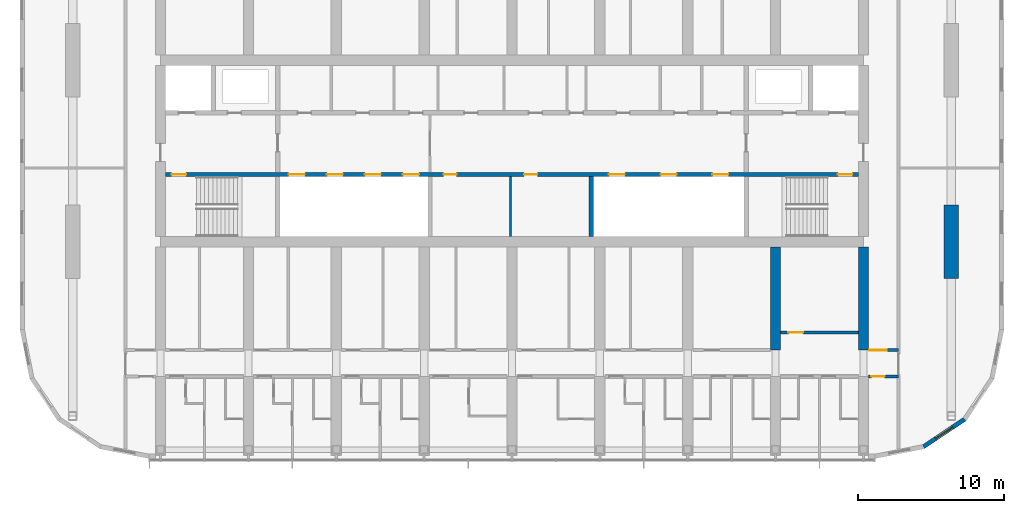
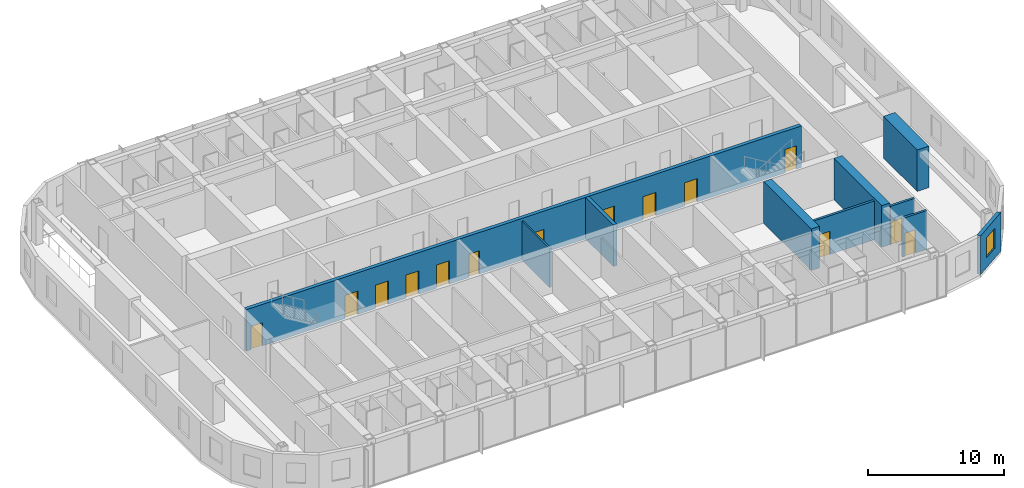
# One storey, part 14 of 24: 14 doors, 10 walls, 1 window, 15 openings.
"""IFC4 building model written with IfcOpenShell, lengths in metres."""

from ifc_helpers import new_model, si_unit, direction, frame, frame_2d, origin, place, context, subcontext, project, spatial, polyline, rectangle, outline, extrude, material, layer, layer_set, type_object, element, fill, save


model = new_model("IFC4")

# Units and contexts
model_context = context("Model", 3, precision=1e-05, world=origin(), true_north=direction((0.0, 1.0)))
body_context = subcontext(model_context, "Body", "Model", "MODEL_VIEW")
ifc_project = project(units=[si_unit("LENGTHUNIT", "METRE"), si_unit("AREAUNIT", "SQUARE_METRE"), si_unit("VOLUMEUNIT", "CUBIC_METRE"), si_unit("PLANEANGLEUNIT", "RADIAN"), si_unit("MASSUNIT", "GRAM", prefix="KILO")], contexts=[model_context])

# Site, building, storey
site_placement = place(None, origin())
site = spatial("IfcSite", under=ifc_project, at=site_placement, CompositionType="ELEMENT")
building_placement = place(site_placement, origin())
building = spatial("IfcBuilding", under=site, at=building_placement, Name="Orbita Commons", CompositionType="ELEMENT")
storey_placement = place(building_placement, frame((0.0, 0.0, 235.300048828125)))
storey = spatial("IfcBuildingStorey", under=building, at=storey_placement, Name="L58", CompositionType="ELEMENT", Elevation=235.300048828125)

# Wall, openings, doors
ifc_material_1 = material(Name="Concrete C50/60", Category="concrete")
ifc_layer_1 = layer(ifc_material_1, 0.300048828125)
ifc_layer_set_1 = layer_set([ifc_layer_1], Name="Concrete C50/60")
wall_type_1 = type_object("IfcWallType", Name="Core inner wall 300 C50/60", PredefinedType="SHEAR", material=ifc_layer_set_1)
wall_1_placement = place(storey_placement, frame((18.35009765625, 30.39990234375, 0.0), z_axis=(0.0, 0.0, 1.0), x_axis=(1.0, 0.0, 0.0)))
wall_1 = element("IfcWall", 1, at=wall_1_placement, inside=storey, type_object=wall_type_1, Name="Lobby wall south L58", PredefinedType="SHEAR", context=body_context, shape_type="SweptSolid", body=[
    extrude(rectangle(XDim=47.2998046875, YDim=0.300048828125, at=frame_2d((23.64990234375, 0.0))), origin(), (0.0, 0.0, 1.0), 3.75),
])
opening_1_placement = place(wall_1_placement, frame((0.39990234375, 0.0, 0.0)))
opening_1 = element("IfcOpeningElement", 2, at=opening_1_placement, cuts=wall_1, Name="Opening D02", PredefinedType="OPENING", context=body_context, shape_type="SweptSolid", body=[
    extrude(rectangle(XDim=1.0, YDim=2.10009765625, at=frame_2d((0.5, 1.050048828125))), frame((0.0, 0.159912109375, 0.0), z_axis=(0.0, -1.0, 0.0), x_axis=(1.0, 0.0, 0.0)), (0.0, 0.0, 1.0), 0.320068359375),
])
opening_2_placement = place(wall_1_placement, frame((45.89990234375, 0.0, 0.0)))
opening_2 = element("IfcOpeningElement", 3, at=opening_2_placement, cuts=wall_1, Name="Opening D02", PredefinedType="OPENING", context=body_context, shape_type="SweptSolid", body=[
    extrude(rectangle(XDim=1.0, YDim=2.10009765625, at=frame_2d((0.5, 1.050048828125))), frame((0.0, 0.159912109375, 0.0), z_axis=(0.0, -1.0, 0.0), x_axis=(1.0, 0.0, 0.0)), (0.0, 0.0, 1.0), 0.320068359375),
])
opening_3_placement = place(wall_1_placement, frame((8.39990234375, 0.0, 0.0)))
opening_3 = element("IfcOpeningElement", 4, at=opening_3_placement, cuts=wall_1, Name="Opening LD02", PredefinedType="OPENING", context=body_context, shape_type="SweptSolid", body=[
    extrude(rectangle(XDim=1.10009765625, YDim=2.10009765625, at=frame_2d((0.550048828125, 1.050048828125))), frame((0.0, 0.159912109375, 0.0), z_axis=(0.0, -1.0, 0.0), x_axis=(1.0, 0.0, 0.0)), (0.0, 0.0, 1.0), 0.320068359375),
])
opening_4_placement = place(wall_1_placement, frame((11.0, 0.0, 0.0)))
opening_4 = element("IfcOpeningElement", 5, at=opening_4_placement, cuts=wall_1, Name="Opening LD02", PredefinedType="OPENING", context=body_context, shape_type="SweptSolid", body=[
    extrude(rectangle(XDim=1.10009765625, YDim=2.10009765625, at=frame_2d((0.550048828125, 1.050048828125))), frame((0.0, 0.159912109375, 0.0), z_axis=(0.0, -1.0, 0.0), x_axis=(1.0, 0.0, 0.0)), (0.0, 0.0, 1.0), 0.320068359375),
])
opening_5_placement = place(wall_1_placement, frame((13.60009765625, 0.0, 0.0)))
opening_5 = element("IfcOpeningElement", 6, at=opening_5_placement, cuts=wall_1, Name="Opening LD02", PredefinedType="OPENING", context=body_context, shape_type="SweptSolid", body=[
    extrude(rectangle(XDim=1.10009765625, YDim=2.10009765625, at=frame_2d((0.550048828125, 1.050048828125))), frame((0.0, 0.159912109375, 0.0), z_axis=(0.0, -1.0, 0.0), x_axis=(1.0, 0.0, 0.0)), (0.0, 0.0, 1.0), 0.320068359375),
])
opening_6_placement = place(wall_1_placement, frame((16.199951171875, 0.0, 0.0)))
opening_6 = element("IfcOpeningElement", 7, at=opening_6_placement, cuts=wall_1, Name="Opening LD02", PredefinedType="OPENING", context=body_context, shape_type="SweptSolid", body=[
    extrude(rectangle(XDim=1.10009765625, YDim=2.10009765625, at=frame_2d((0.550048828125, 1.050048828125))), frame((0.0, 0.159912109375, 0.0), z_axis=(0.0, -1.0, 0.0), x_axis=(1.0, 0.0, 0.0)), (0.0, 0.0, 1.0), 0.320068359375),
])
opening_7_placement = place(wall_1_placement, frame((18.97509765625, 0.0, 0.0)))
opening_7 = element("IfcOpeningElement", 8, at=opening_7_placement, cuts=wall_1, Name="Opening D05", PredefinedType="OPENING", context=body_context, shape_type="SweptSolid", body=[
    extrude(rectangle(XDim=0.89990234375, YDim=2.10009765625, at=frame_2d((0.449951171875, 1.050048828125))), frame((0.0, 0.159912109375, 0.0), z_axis=(0.0, -1.0, 0.0), x_axis=(1.0, 0.0, 0.0)), (0.0, 0.0, 1.0), 0.320068359375),
])
opening_8_placement = place(wall_1_placement, frame((24.47509765625, 0.0, 0.0)))
opening_8 = element("IfcOpeningElement", 9, at=opening_8_placement, cuts=wall_1, Name="Opening D05", PredefinedType="OPENING", context=body_context, shape_type="SweptSolid", body=[
    extrude(rectangle(XDim=0.89990234375, YDim=2.10009765625, at=frame_2d((0.449951171875, 1.050048828125))), frame((0.0, 0.159912109375, 0.0), z_axis=(0.0, -1.0, 0.0), x_axis=(1.0, 0.0, 0.0)), (0.0, 0.0, 1.0), 0.320068359375),
])
opening_9_placement = place(wall_1_placement, frame((30.2666015625, 0.0, 0.0)))
opening_9 = element("IfcOpeningElement", 10, at=opening_9_placement, cuts=wall_1, Name="Opening LD02", PredefinedType="OPENING", context=body_context, shape_type="SweptSolid", body=[
    extrude(rectangle(XDim=1.10009765625, YDim=2.10009765625, at=frame_2d((0.550048828125, 1.050048828125))), frame((0.0, 0.159912109375, 0.0), z_axis=(0.0, -1.0, 0.0), x_axis=(1.0, 0.0, 0.0)), (0.0, 0.0, 1.0), 0.320068359375),
])
opening_10_placement = place(wall_1_placement, frame((33.800048828125, 0.0, 0.0)))
opening_10 = element("IfcOpeningElement", 11, at=opening_10_placement, cuts=wall_1, Name="Opening LD02", PredefinedType="OPENING", context=body_context, shape_type="SweptSolid", body=[
    extrude(rectangle(XDim=1.10009765625, YDim=2.10009765625, at=frame_2d((0.550048828125, 1.050048828125))), frame((0.0, 0.159912109375, 0.0), z_axis=(0.0, -1.0, 0.0), x_axis=(1.0, 0.0, 0.0)), (0.0, 0.0, 1.0), 0.320068359375),
])
opening_11_placement = place(wall_1_placement, frame((37.333251953125, 0.0, 0.0)))
opening_11 = element("IfcOpeningElement", 12, at=opening_11_placement, cuts=wall_1, Name="Opening LD02", PredefinedType="OPENING", context=body_context, shape_type="SweptSolid", body=[
    extrude(rectangle(XDim=1.10009765625, YDim=2.10009765625, at=frame_2d((0.550048828125, 1.050048828125))), frame((0.0, 0.159912109375, 0.0), z_axis=(0.0, -1.0, 0.0), x_axis=(1.0, 0.0, 0.0)), (0.0, 0.0, 1.0), 0.320068359375),
])
ifc_material_2 = material(Name="Steel-faced fire door leaf", Category="steel")
door_type_1 = type_object("IfcDoorType", Name="Fire door 90 min 1000x2100", OperationType="SINGLE_SWING_LEFT", PredefinedType="DOOR", material=ifc_material_2)
door_1_placement = place(opening_1_placement, origin())
door_1 = element("IfcDoor", 13, at=door_1_placement, inside=storey, type_object=door_type_1, Name="Stair S1 door", OperationType="SINGLE_SWING_LEFT", OverallHeight=2.10009765625, OverallWidth=1.0, PredefinedType="DOOR", context=body_context, shape_type="SweptSolid", body=[
    extrude(rectangle(XDim=1.0, YDim=2.10009765625, at=frame_2d((0.5, 1.050048828125))), frame((0.0, 0.02490234375, 0.0), z_axis=(0.0, -1.0, 0.0), x_axis=(1.0, 0.0, 0.0)), (0.0, 0.0, 1.0), 0.050048828125),
])
fill(opening_1, door_1)
door_2_placement = place(opening_2_placement, origin())
door_2 = element("IfcDoor", 14, at=door_2_placement, inside=storey, type_object=door_type_1, Name="Stair S2 door", OperationType="SINGLE_SWING_LEFT", OverallHeight=2.10009765625, OverallWidth=1.0, PredefinedType="DOOR", context=body_context, shape_type="SweptSolid", body=[
    extrude(rectangle(XDim=1.0, YDim=2.10009765625, at=frame_2d((0.5, 1.050048828125))), frame((0.0, 0.02490234375, 0.0), z_axis=(0.0, -1.0, 0.0), x_axis=(1.0, 0.0, 0.0)), (0.0, 0.0, 1.0), 0.050048828125),
])
fill(opening_2, door_2)
ifc_material_3 = material(Name="Steel-faced fire door leaf", Category="steel")
door_type_2 = type_object("IfcDoorType", Name="Lift landing door 1100x2100", OperationType="DOUBLE_DOOR_SLIDING", PredefinedType="DOOR", material=ifc_material_3)
door_3_placement = place(opening_3_placement, origin())
door_3 = element("IfcDoor", 15, at=door_3_placement, inside=storey, type_object=door_type_2, Name="Lift P41 landing door", OperationType="DOUBLE_DOOR_SLIDING", OverallHeight=2.10009765625, OverallWidth=1.10009765625, PredefinedType="DOOR", context=body_context, shape_type="SweptSolid", body=[
    extrude(rectangle(XDim=1.10009765625, YDim=2.10009765625, at=frame_2d((0.550048828125, 1.050048828125))), frame((0.0, 0.02490234375, 0.0), z_axis=(0.0, -1.0, 0.0), x_axis=(1.0, 0.0, 0.0)), (0.0, 0.0, 1.0), 0.050048828125),
])
fill(opening_3, door_3)
door_4_placement = place(opening_4_placement, origin())
door_4 = element("IfcDoor", 16, at=door_4_placement, inside=storey, type_object=door_type_2, Name="Lift P42 landing door", OperationType="DOUBLE_DOOR_SLIDING", OverallHeight=2.10009765625, OverallWidth=1.10009765625, PredefinedType="DOOR", context=body_context, shape_type="SweptSolid", body=[
    extrude(rectangle(XDim=1.10009765625, YDim=2.10009765625, at=frame_2d((0.550048828125, 1.050048828125))), frame((0.0, 0.02490234375, 0.0), z_axis=(0.0, -1.0, 0.0), x_axis=(1.0, 0.0, 0.0)), (0.0, 0.0, 1.0), 0.050048828125),
])
fill(opening_4, door_4)
door_5_placement = place(opening_5_placement, origin())
door_5 = element("IfcDoor", 17, at=door_5_placement, inside=storey, type_object=door_type_2, Name="Lift P43 landing door", OperationType="DOUBLE_DOOR_SLIDING", OverallHeight=2.10009765625, OverallWidth=1.10009765625, PredefinedType="DOOR", context=body_context, shape_type="SweptSolid", body=[
    extrude(rectangle(XDim=1.10009765625, YDim=2.10009765625, at=frame_2d((0.550048828125, 1.050048828125))), frame((0.0, 0.02490234375, 0.0), z_axis=(0.0, -1.0, 0.0), x_axis=(1.0, 0.0, 0.0)), (0.0, 0.0, 1.0), 0.050048828125),
])
fill(opening_5, door_5)
door_6_placement = place(opening_6_placement, origin())
door_6 = element("IfcDoor", 18, at=door_6_placement, inside=storey, type_object=door_type_2, Name="Lift P44 landing door", OperationType="DOUBLE_DOOR_SLIDING", OverallHeight=2.10009765625, OverallWidth=1.10009765625, PredefinedType="DOOR", context=body_context, shape_type="SweptSolid", body=[
    extrude(rectangle(XDim=1.10009765625, YDim=2.10009765625, at=frame_2d((0.550048828125, 1.050048828125))), frame((0.0, 0.02490234375, 0.0), z_axis=(0.0, -1.0, 0.0), x_axis=(1.0, 0.0, 0.0)), (0.0, 0.0, 1.0), 0.050048828125),
])
fill(opening_6, door_6)
door_7_placement = place(opening_9_placement, origin())
door_7 = element("IfcDoor", 19, at=door_7_placement, inside=storey, type_object=door_type_2, Name="Lift SV1 landing door", OperationType="DOUBLE_DOOR_SLIDING", OverallHeight=2.10009765625, OverallWidth=1.10009765625, PredefinedType="DOOR", context=body_context, shape_type="SweptSolid", body=[
    extrude(rectangle(XDim=1.10009765625, YDim=2.10009765625, at=frame_2d((0.550048828125, 1.050048828125))), frame((0.0, 0.02490234375, 0.0), z_axis=(0.0, -1.0, 0.0), x_axis=(1.0, 0.0, 0.0)), (0.0, 0.0, 1.0), 0.050048828125),
])
fill(opening_9, door_7)
door_8_placement = place(opening_10_placement, origin())
door_8 = element("IfcDoor", 20, at=door_8_placement, inside=storey, type_object=door_type_2, Name="Lift SV2 landing door", OperationType="DOUBLE_DOOR_SLIDING", OverallHeight=2.10009765625, OverallWidth=1.10009765625, PredefinedType="DOOR", context=body_context, shape_type="SweptSolid", body=[
    extrude(rectangle(XDim=1.10009765625, YDim=2.10009765625, at=frame_2d((0.550048828125, 1.050048828125))), frame((0.0, 0.02490234375, 0.0), z_axis=(0.0, -1.0, 0.0), x_axis=(1.0, 0.0, 0.0)), (0.0, 0.0, 1.0), 0.050048828125),
])
fill(opening_10, door_8)
door_9_placement = place(opening_11_placement, origin())
door_9 = element("IfcDoor", 21, at=door_9_placement, inside=storey, type_object=door_type_2, Name="Lift SV3 landing door", OperationType="DOUBLE_DOOR_SLIDING", OverallHeight=2.10009765625, OverallWidth=1.10009765625, PredefinedType="DOOR", context=body_context, shape_type="SweptSolid", body=[
    extrude(rectangle(XDim=1.10009765625, YDim=2.10009765625, at=frame_2d((0.550048828125, 1.050048828125))), frame((0.0, 0.02490234375, 0.0), z_axis=(0.0, -1.0, 0.0), x_axis=(1.0, 0.0, 0.0)), (0.0, 0.0, 1.0), 0.050048828125),
])
fill(opening_11, door_9)
ifc_material_4 = material(Name="Steel-faced fire door leaf", Category="steel")
door_type_3 = type_object("IfcDoorType", Name="Service door 20 min 900x2100", OperationType="SINGLE_SWING_LEFT", PredefinedType="DOOR", material=ifc_material_4)
door_10_placement = place(opening_7_placement, origin())
door_10 = element("IfcDoor", 22, at=door_10_placement, inside=storey, type_object=door_type_3, Name="Mail room door", OperationType="SINGLE_SWING_LEFT", OverallHeight=2.10009765625, OverallWidth=0.89990234375, PredefinedType="DOOR", context=body_context, shape_type="SweptSolid", body=[
    extrude(rectangle(XDim=0.89990234375, YDim=2.10009765625, at=frame_2d((0.449951171875, 1.050048828125))), frame((0.0, 0.02490234375, 0.0), z_axis=(0.0, -1.0, 0.0), x_axis=(1.0, 0.0, 0.0)), (0.0, 0.0, 1.0), 0.050048828125),
])
fill(opening_7, door_10)
door_11_placement = place(opening_8_placement, origin())
door_11 = element("IfcDoor", 23, at=door_11_placement, inside=storey, type_object=door_type_3, Name="Residents' store door", OperationType="SINGLE_SWING_LEFT", OverallHeight=2.10009765625, OverallWidth=0.89990234375, PredefinedType="DOOR", context=body_context, shape_type="SweptSolid", body=[
    extrude(rectangle(XDim=0.89990234375, YDim=2.10009765625, at=frame_2d((0.449951171875, 1.050048828125))), frame((0.0, 0.02490234375, 0.0), z_axis=(0.0, -1.0, 0.0), x_axis=(1.0, 0.0, 0.0)), (0.0, 0.0, 1.0), 0.050048828125),
])
fill(opening_8, door_11)

# Walls
wall_2_placement = place(storey_placement, frame((47.39990234375, 26.14990234375, 0.0), z_axis=(0.0, 0.0, 1.0), x_axis=(0.0, 1.0, 0.0)))
element("IfcWall", 24, at=wall_2_placement, inside=storey, type_object=wall_type_1, Name="Hoistway division wall L58", PredefinedType="SHEAR", context=body_context, shape_type="SweptSolid", body=[
    extrude(rectangle(XDim=4.10009765625, YDim=0.300048828125, at=frame_2d((2.050048828125, 0.0))), origin(), (0.0, 0.0, 1.0), 3.75),
])
ifc_material_5 = material(Name="Concrete blockwork", Category="masonry")
ifc_layer_2 = layer(ifc_material_5, 0.14990234375)
ifc_layer_set_2 = layer_set([ifc_layer_2], Name="Concrete blockwork")
wall_type_2 = type_object("IfcWallType", Name="Core partition 150 blockwork", PredefinedType="SOLIDWALL", material=ifc_layer_set_2)
wall_3_placement = place(storey_placement, frame((41.89990234375, 26.14990234375, 0.0), z_axis=(0.0, 0.0, 1.0), x_axis=(0.0, 1.0, 0.0)))
element("IfcWall", 25, at=wall_3_placement, inside=storey, type_object=wall_type_2, Name="Core partition 150 blockwork L58", PredefinedType="SOLIDWALL", context=body_context, shape_type="SweptSolid", body=[
    extrude(rectangle(XDim=4.10009765625, YDim=0.14990234375, at=frame_2d((2.050048828125, 0.0))), origin(), (0.0, 0.0, 1.0), 3.5),
])

# Wall, opening, door
ifc_material_6 = material(Name="Concrete blockwork", Category="masonry")
ifc_layer_3 = layer(ifc_material_6, 0.199951171875)
ifc_layer_set_3 = layer_set([ifc_layer_3], Name="Concrete blockwork")
wall_type_3 = type_object("IfcWallType", Name="Corridor wall 200 blockwork", PredefinedType="SOLIDWALL", material=ifc_layer_set_3)
wall_4_placement = place(storey_placement, frame((66.35009765625, 16.60009765625, 0.0), z_axis=(0.0, 0.0, 1.0), x_axis=(1.0, 0.0, 0.0)))
wall_4 = element("IfcWall", 26, at=wall_4_placement, inside=storey, type_object=wall_type_3, Name="Corridor wall 200 blockwork L58", PredefinedType="SOLIDWALL", context=body_context, shape_type="SweptSolid", body=[
    extrude(rectangle(XDim=2.0498046875, YDim=0.199951171875, at=frame_2d((1.02490234375, 0.0))), origin(), (0.0, 0.0, 1.0), 3.5),
])
opening_12_placement = place(wall_4_placement, frame((0.199951171875, 0.0, 0.0)))
opening_12 = element("IfcOpeningElement", 27, at=opening_12_placement, cuts=wall_4, Name="Opening D05", PredefinedType="OPENING", context=body_context, shape_type="SweptSolid", body=[
    extrude(rectangle(XDim=0.89990234375, YDim=2.10009765625, at=frame_2d((0.449951171875, 1.050048828125))), frame((0.0, 0.10986328125, 0.0), z_axis=(0.0, -1.0, 0.0), x_axis=(1.0, 0.0, 0.0)), (0.0, 0.0, 1.0), 0.219970703125),
])
door_12_placement = place(opening_12_placement, origin())
door_12 = element("IfcDoor", 28, at=door_12_placement, inside=storey, type_object=door_type_3, Name="Linen store L58-KES door", OperationType="SINGLE_SWING_LEFT", OverallHeight=2.10009765625, OverallWidth=0.89990234375, PredefinedType="DOOR", context=body_context, shape_type="SweptSolid", body=[
    extrude(rectangle(XDim=0.89990234375, YDim=2.10009765625, at=frame_2d((0.449951171875, 1.050048828125))), frame((0.0, 0.02490234375, 0.0), z_axis=(0.0, -1.0, 0.0), x_axis=(1.0, 0.0, 0.0)), (0.0, 0.0, 1.0), 0.050048828125),
])
fill(opening_12, door_12)

ifc_material_7 = material(Name="Hollow concrete block 200", Category="concrete")
ifc_layer_4 = layer(ifc_material_7, 0.199951171875)
ifc_layer_set_4 = layer_set([ifc_layer_4], Name="Hollow concrete block 200")
wall_type_4 = type_object("IfcWallType", Name="Corridor wall 200 hollow concrete block", PredefinedType="SOLIDWALL", material=ifc_layer_set_4)
wall_5_placement = place(storey_placement, frame((66.35009765625, 18.39990234375, 0.0), z_axis=(0.0, 0.0, 1.0), x_axis=(1.0, 0.0, 0.0)))
wall_5 = element("IfcWall", 29, at=wall_5_placement, inside=storey, type_object=wall_type_4, Name="Corridor wall 200 hollow concrete block L58", PredefinedType="SOLIDWALL", context=body_context, shape_type="SweptSolid", body=[
    extrude(rectangle(XDim=2.0498046875, YDim=0.199951171875, at=frame_2d((1.02490234375, 0.0))), origin(), (0.0, 0.0, 1.0), 3.5),
])
opening_13_placement = place(wall_5_placement, frame((0.050048828125, 0.0, 0.0)))
opening_13 = element("IfcOpeningElement", 30, at=opening_13_placement, cuts=wall_5, Name="Opening D12", PredefinedType="OPENING", context=body_context, shape_type="SweptSolid", body=[
    extrude(rectangle(XDim=1.199951171875, YDim=2.10009765625, at=frame_2d((0.60009765625, 1.050048828125))), frame((0.0, 0.10986328125, 0.0), z_axis=(0.0, -1.0, 0.0), x_axis=(1.0, 0.0, 0.0)), (0.0, 0.0, 1.0), 0.219970703125),
])
ifc_material_8 = material(Name="Steel-faced fire door leaf", Category="steel")
door_type_4 = type_object("IfcDoorType", Name="Double corridor door 20 min 1200x2100", OperationType="DOUBLE_DOOR_SINGLE_SWING", PredefinedType="DOOR", material=ifc_material_8)
door_13_placement = place(opening_13_placement, origin())
door_13 = element("IfcDoor", 31, at=door_13_placement, inside=storey, type_object=door_type_4, Name="Cross corridor doors", OperationType="DOUBLE_DOOR_SINGLE_SWING", OverallHeight=2.10009765625, OverallWidth=1.199951171875, PredefinedType="DOOR", context=body_context, shape_type="SweptSolid", body=[
    extrude(rectangle(XDim=1.199951171875, YDim=2.10009765625, at=frame_2d((0.60009765625, 1.050048828125))), frame((0.0, 0.02490234375, 0.0), z_axis=(0.0, -1.0, 0.0), x_axis=(1.0, 0.0, 0.0)), (0.0, 0.0, 1.0), 0.050048828125),
])
fill(opening_13, door_13)

wall_6_placement = place(storey_placement, frame((60.35009765625, 19.60009765625, 0.0), z_axis=(0.0, 0.0, 1.0), x_axis=(1.0, 0.0, 0.0)))
wall_6 = element("IfcWall", 32, at=wall_6_placement, inside=storey, type_object=wall_type_4, Name="Corridor wall 200 hollow concrete block L58", PredefinedType="SOLIDWALL", context=body_context, shape_type="SweptSolid", body=[
    extrude(rectangle(XDim=5.2998046875, YDim=0.199951171875, at=frame_2d((2.64990234375, 0.0))), origin(), (0.0, 0.0, 1.0), 3.5),
])
opening_14_placement = place(wall_6_placement, frame((0.52490234375, 0.0, 0.0)))
opening_14 = element("IfcOpeningElement", 33, at=opening_14_placement, cuts=wall_6, Name="Opening D06", PredefinedType="OPENING", context=body_context, shape_type="SweptSolid", body=[
    extrude(rectangle(XDim=1.0, YDim=2.10009765625, at=frame_2d((0.5, 1.050048828125))), frame((0.0, 0.10986328125, 0.0), z_axis=(0.0, -1.0, 0.0), x_axis=(1.0, 0.0, 0.0)), (0.0, 0.0, 1.0), 0.219970703125),
])
ifc_material_9 = material(Name="Steel-faced fire door leaf", Category="steel")
door_type_5 = type_object("IfcDoorType", Name="Corridor door 20 min 1000x2100", OperationType="SINGLE_SWING_LEFT", PredefinedType="DOOR", material=ifc_material_9)
door_14_placement = place(opening_14_placement, origin())
door_14 = element("IfcDoor", 34, at=door_14_placement, inside=storey, type_object=door_type_5, Name="Ventilation plant room north L58-BDS60 door", OperationType="SINGLE_SWING_LEFT", OverallHeight=2.10009765625, OverallWidth=1.0, PredefinedType="DOOR", context=body_context, shape_type="SweptSolid", body=[
    extrude(rectangle(XDim=1.0, YDim=2.10009765625, at=frame_2d((0.5, 1.050048828125))), frame((0.0, 0.02490234375, 0.0), z_axis=(0.0, -1.0, 0.0), x_axis=(1.0, 0.0, 0.0)), (0.0, 0.0, 1.0), 0.050048828125),
])
fill(opening_14, door_14)

# Walls
ifc_material_10 = material(Name="Concrete C50/60", Category="concrete")
ifc_layer_5 = layer(ifc_material_10, 0.699951171875)
ifc_layer_set_5 = layer_set([ifc_layer_5], Name="Concrete C50/60")
wall_type_5 = type_object("IfcWallType", Name="Cross wall 700 C50/60", PredefinedType="SHEAR", material=ifc_layer_set_5)
for number, where, z_axis, x_axis, name in (
    (35, (60.0, 18.39990234375, 0.0), (0.0, 0.0, 1.0), (0.0, 1.0, 0.0), "Cross wall 11 south inner L58"),
    (36, (66.0, 18.39990234375, 0.0), (0.0, 0.0, 1.0), (0.0, 1.0, 0.0), "Cross wall 12 south inner L58"),
):
    element("IfcWall", number, at=place(storey_placement, frame(where, z_axis=z_axis, x_axis=x_axis)), inside=storey, type_object=wall_type_5, Name=name, PredefinedType="SHEAR", context=body_context, shape_type="SweptSolid", body=[
        extrude(rectangle(XDim=7.050048828125, YDim=0.699951171875, at=frame_2d((3.52490234375, 0.0))), origin(), (0.0, 0.0, 1.0), 3.75),
    ])
ifc_material_11 = material(Name="Concrete C50/60", Category="concrete")
ifc_layer_6 = layer(ifc_material_11, 1.0)
ifc_layer_set_6 = layer_set([ifc_layer_6], Name="Concrete C50/60")
wall_type_6 = type_object("IfcWallType", Name="End pier 1000x5000 C50/60", PredefinedType="SHEAR", material=ifc_layer_set_6)
wall_7_placement = place(storey_placement, frame((72.0, 23.300048828125, 0.0), z_axis=(0.0, 0.0, 1.0), x_axis=(0.0, 1.0, 0.0)))
element("IfcWall", 37, at=wall_7_placement, inside=storey, type_object=wall_type_6, Name="End pier 13/C L58", PredefinedType="SHEAR", context=body_context, shape_type="SweptSolid", body=[
    extrude(rectangle(XDim=5.0, YDim=1.0, at=frame_2d((2.5, 0.0))), origin(), (0.0, 0.0, 1.0), 3.75),
])

# Wall, opening, window
ifc_material_12 = material(Name="Precast concrete C40/50, white board-marked finish", Category="concrete")
ifc_layer_7 = layer(ifc_material_12, 0.300048828125)
ifc_layer_set_7 = layer_set([ifc_layer_7], Name="Precast concrete C40/50, white board-marked finish")
wall_type_7 = type_object("IfcWallType", Name="Precast concrete end shield 300", PredefinedType="SOLIDWALL", material=ifc_layer_set_7)
wall_8_placement = place(storey_placement, frame((70.110107421875, 11.808349609375, 0.0), z_axis=(0.0, 0.0, 1.0), x_axis=(0.831460037396, 0.555584562613, 0.0)))
wall_8 = element("IfcWall", 38, at=wall_8_placement, inside=storey, type_object=wall_type_7, Name="End shield SE chord 2 L58", PredefinedType="SOLIDWALL", context=body_context, shape_type="SweptSolid", body=[
    extrude(outline(polyline([(-0.02978515625, -0.14990234375), (3.405029296875, -0.14990234375), (3.345458984375, 0.14990234375), (0.02978515625, 0.14990234375), (-0.02978515625, -0.14990234375)])), origin(), (0.0, 0.0, 1.0), 3.5),
])
opening_15_placement = place(wall_8_placement, frame((0.987548828125, 0.0, 0.89990234375)))
opening_15 = element("IfcOpeningElement", 39, at=opening_15_placement, cuts=wall_8, Name="Opening W02", PredefinedType="OPENING", context=body_context, shape_type="SweptSolid", body=[
    extrude(rectangle(XDim=1.39990234375, YDim=1.800048828125, at=frame_2d((0.699951171875, 0.89990234375))), frame((0.0, 0.159912109375, 0.0), z_axis=(0.0, -1.0, 0.0), x_axis=(1.0, 0.0, 0.0)), (0.0, 0.0, 1.0), 0.320068359375),
])
ifc_material_13 = material(Name="Aluminium frame, clear double glazing", Category="aluminium")
window_type = type_object("IfcWindowType", Name="Deep-set window 1400x1800", PartitioningType="SINGLE_PANEL", PredefinedType="WINDOW", material=ifc_material_13)
window_placement = place(opening_15_placement, origin())
window = element("IfcWindow", 40, at=window_placement, inside=storey, type_object=window_type, Name="Window L58-SE1", OverallHeight=1.800048828125, OverallWidth=1.39990234375, PartitioningType="SINGLE_PANEL", PredefinedType="WINDOW", context=body_context, shape_type="SweptSolid", body=[
    extrude(rectangle(XDim=1.39990234375, YDim=1.800048828125, at=frame_2d((0.699951171875, 0.89990234375))), frame((0.0, 0.030029296875, 0.0), z_axis=(0.0, -1.0, 0.0), x_axis=(1.0, 0.0, 0.0)), (0.0, 0.0, 1.0), 0.06005859375),
])
fill(opening_15, window)

save(model, "model.ifc")
